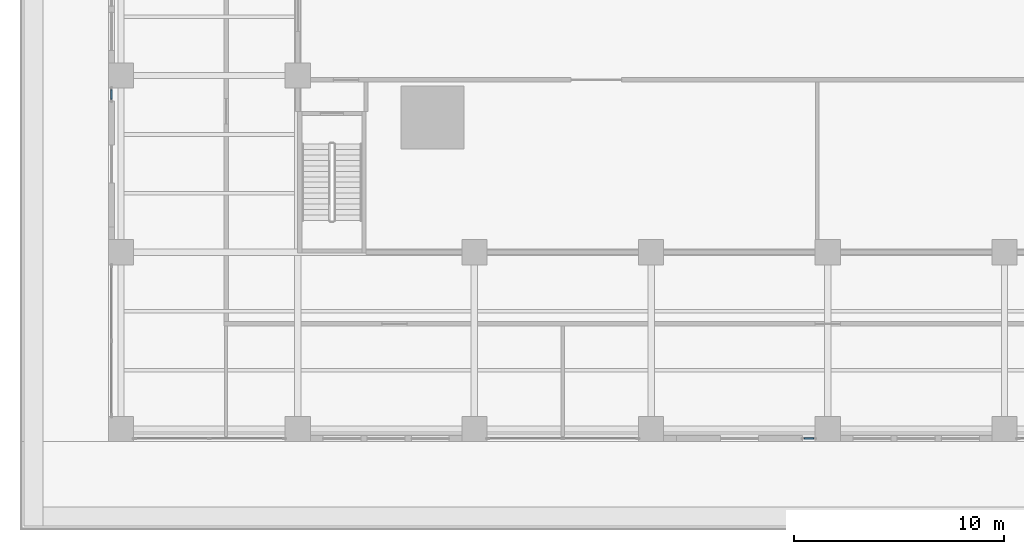
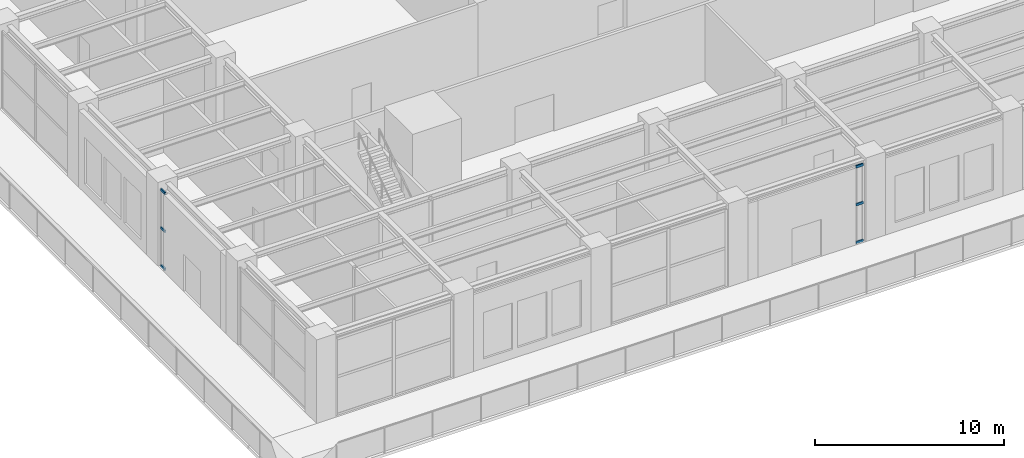
# One storey, part 11 of 36: 6 members, 2 elements without a shape of their own.
"""IFC4 building model written with IfcOpenShell, lengths in metres."""

from ifc_helpers import new_model, si_unit, direction, frame, origin, origin_2d, place, context, subcontext, project, spatial, rectangle, extrude, material, material_profile, profile_set, type_object, element, aggregate, save


model = new_model("IFC4")

# Units and contexts
model_context = context("Model", 3, precision=1e-05, world=origin(), true_north=direction((0.0, 1.0)))
body_context = subcontext(model_context, "Body", "Model", "MODEL_VIEW")
ifc_project = project(units=[si_unit("LENGTHUNIT", "METRE"), si_unit("AREAUNIT", "SQUARE_METRE"), si_unit("VOLUMEUNIT", "CUBIC_METRE"), si_unit("PLANEANGLEUNIT", "RADIAN"), si_unit("MASSUNIT", "GRAM", prefix="KILO")], contexts=[model_context])

# Site, building, storey
site_placement = place(None, origin())
site = spatial("IfcSite", under=ifc_project, at=site_placement, CompositionType="ELEMENT")
building_placement = place(site_placement, origin())
building = spatial("IfcBuilding", under=site, at=building_placement, Name="Khepri Terraces", CompositionType="ELEMENT")
storey_placement = place(building_placement, frame((0.0, 0.0, 16.800048828125)))
storey = spatial("IfcBuildingStorey", under=building, at=storey_placement, Name="L03", CompositionType="ELEMENT", Elevation=16.800048828125)

# Curtain wall, members
ifc_material_1 = material(Name="Anodised aluminium bronze curtain wall", Category="aluminium")
curtain_wall_type = type_object("IfcCurtainWallType", Name="CW-SYS5-BALLROOM", PredefinedType="NOTDEFINED", material=ifc_material_1)
curtain_wall_1_placement = place(storey_placement, origin())
curtain_wall_1 = element("IfcCurtainWall", 1, at=curtain_wall_1_placement, inside=storey, type_object=curtain_wall_type, Name="Curtain wall CW5 L03 S", PredefinedType="NOTDEFINED")
ifc_material_2 = material(Name="Anodised aluminium bronze", Category="aluminium")
ifc_material_profile = material_profile(ifc_material_2, rectangle(XDim=0.080078125, YDim=0.159912109375, at=origin_2d()), Name="Anodised aluminium bronze", Category="aluminium")
ifc_profile_set = profile_set([ifc_material_profile], Name="Anodised aluminium bronze")
member_type = type_object("IfcMemberType", Name="CW-TRANSOM-80x160", PredefinedType="USERDEFINED", material=ifc_profile_set)
member_1_placement = place(storey_placement, frame((-1.1201171875, -34.050048828125, 0.0400390625), z_axis=(1.0, 0.0, 0.0), x_axis=(0.0, 1.0, 0.0)))
member_1 = element("IfcMember", 2, at=member_1_placement, type_object=member_type, Name="CW5 transom 1.1", ObjectType="TRANSOM", PredefinedType="USERDEFINED", context=body_context, shape_type="SweptSolid", body=[
    extrude(rectangle(XDim=0.080078125, YDim=0.159912109375, at=origin_2d()), origin(), (0.0, 0.0, 1.0), 0.440185546875),
])
member_2_placement = place(storey_placement, frame((-1.1201171875, -34.050048828125, 2.489990234375), z_axis=(1.0, 0.0, 0.0), x_axis=(0.0, 1.0, 0.0)))
member_2 = element("IfcMember", 3, at=member_2_placement, type_object=member_type, Name="CW5 transom 1.2", ObjectType="TRANSOM", PredefinedType="USERDEFINED", context=body_context, shape_type="SweptSolid", body=[
    extrude(rectangle(XDim=0.080078125, YDim=0.159912109375, at=origin_2d()), origin(), (0.0, 0.0, 1.0), 0.440185546875),
])
member_3_placement = place(storey_placement, frame((-1.1201171875, -34.050048828125, 4.93994140625), z_axis=(1.0, 0.0, 0.0), x_axis=(0.0, 1.0, 0.0)))
member_3 = element("IfcMember", 4, at=member_3_placement, type_object=member_type, Name="CW5 transom 1.3", ObjectType="TRANSOM", PredefinedType="USERDEFINED", context=body_context, shape_type="SweptSolid", body=[
    extrude(rectangle(XDim=0.080078125, YDim=0.159912109375, at=origin_2d()), origin(), (0.0, 0.0, 1.0), 0.440185546875),
])
aggregate(curtain_wall_1, [member_1, member_2, member_3])

curtain_wall_2_placement = place(storey_placement, origin())
curtain_wall_2 = element("IfcCurtainWall", 5, at=curtain_wall_2_placement, inside=storey, type_object=curtain_wall_type, Name="Curtain wall CW5 L03 W", PredefinedType="NOTDEFINED")
member_4_placement = place(storey_placement, frame((-34.050048828125, -17.47998046875, 0.0400390625), z_axis=(0.0, -1.0, 0.0), x_axis=(1.0, 0.0, 0.0)))
member_4 = element("IfcMember", 6, at=member_4_placement, type_object=member_type, Name="CW5 transom 1.1", ObjectType="TRANSOM", PredefinedType="USERDEFINED", context=body_context, shape_type="SweptSolid", body=[
    extrude(rectangle(XDim=0.080078125, YDim=0.159912109375, at=origin_2d()), origin(), (0.0, 0.0, 1.0), 0.43994140625),
])
member_5_placement = place(storey_placement, frame((-34.050048828125, -17.47998046875, 2.489990234375), z_axis=(0.0, -1.0, 0.0), x_axis=(1.0, 0.0, 0.0)))
member_5 = element("IfcMember", 7, at=member_5_placement, type_object=member_type, Name="CW5 transom 1.2", ObjectType="TRANSOM", PredefinedType="USERDEFINED", context=body_context, shape_type="SweptSolid", body=[
    extrude(rectangle(XDim=0.080078125, YDim=0.159912109375, at=origin_2d()), origin(), (0.0, 0.0, 1.0), 0.43994140625),
])
member_6_placement = place(storey_placement, frame((-34.050048828125, -17.47998046875, 4.93994140625), z_axis=(0.0, -1.0, 0.0), x_axis=(1.0, 0.0, 0.0)))
member_6 = element("IfcMember", 8, at=member_6_placement, type_object=member_type, Name="CW5 transom 1.3", ObjectType="TRANSOM", PredefinedType="USERDEFINED", context=body_context, shape_type="SweptSolid", body=[
    extrude(rectangle(XDim=0.080078125, YDim=0.159912109375, at=origin_2d()), origin(), (0.0, 0.0, 1.0), 0.43994140625),
])
aggregate(curtain_wall_2, [member_4, member_5, member_6])

save(model, "model.ifc")
